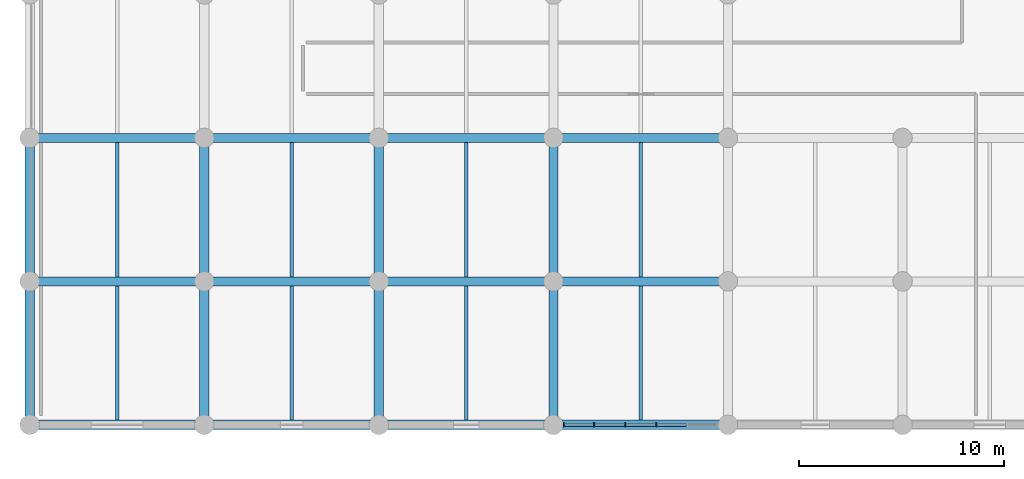
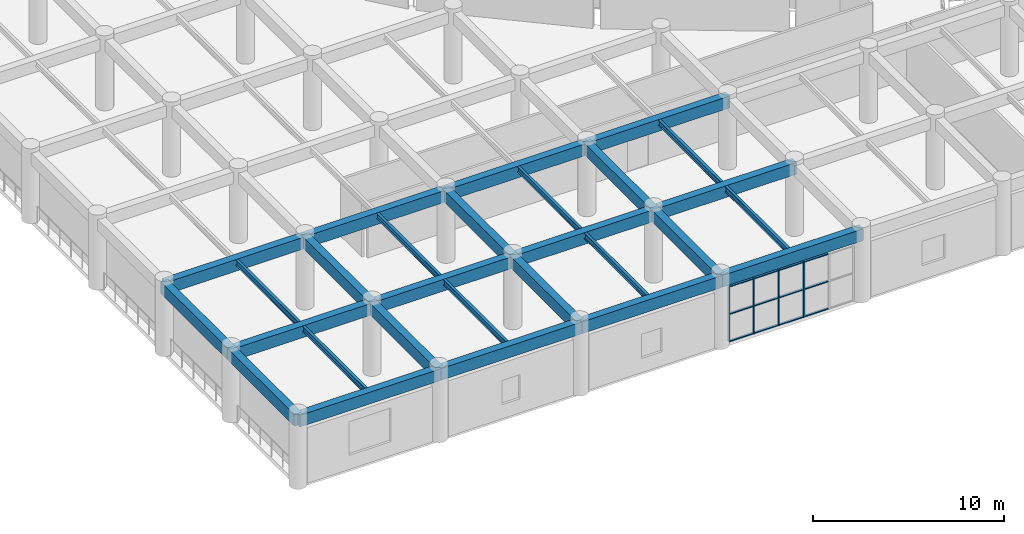
# One storey, part 11 of 152: 28 beams, 16 members, 1 element without a shape of its own.
"""IFC4 building model written with IfcOpenShell, lengths in metres."""

from ifc_helpers import new_model, si_unit, direction, frame, origin, origin_2d, place, context, subcontext, project, spatial, rectangle, i_section, extrude, material, layer, layer_set, material_profile, profile_set, type_object, element, aggregate, save


model = new_model("IFC4")

# Units and contexts
model_context = context("Model", 3, precision=1e-05, world=origin(), true_north=direction((0.0, 1.0)))
body_context = subcontext(model_context, "Body", "Model", "MODEL_VIEW")
ifc_project = project(units=[si_unit("LENGTHUNIT", "METRE"), si_unit("AREAUNIT", "SQUARE_METRE"), si_unit("VOLUMEUNIT", "CUBIC_METRE"), si_unit("PLANEANGLEUNIT", "RADIAN"), si_unit("MASSUNIT", "GRAM", prefix="KILO")], contexts=[model_context])

# Site, building, storey
site_placement = place(None, origin())
site = spatial("IfcSite", under=ifc_project, at=site_placement, CompositionType="ELEMENT")
building_placement = place(site_placement, origin())
building = spatial("IfcBuilding", under=site, at=building_placement, Name="Mphavela Belvedere Stadium", CompositionType="ELEMENT")
storey_placement = place(building_placement, frame((0.0, 0.0, 5.39990234375)))
storey = spatial("IfcBuildingStorey", under=building, at=storey_placement, Name="L01", CompositionType="ELEMENT", Elevation=5.39990234375)

# Beams
ifc_material_1 = material(Name="Steel S355", Category="steel")
ifc_material_profile_1 = material_profile(ifc_material_1, i_section(OverallWidth=0.169921875, OverallDepth=0.360107421875, WebThickness=0.008056640625, FlangeThickness=0.0126953125, at=origin_2d()), Name="IPE 360")
ifc_profile_set_1 = profile_set([ifc_material_profile_1], Name="Steel S355")
beam_type_1 = type_object("IfcBeamType", Name="BM-JOIST-IPE360", PredefinedType="JOIST", material=ifc_profile_set_1)
for number, where, z_axis, x_axis, name in (
    (1, (4.259521484375, 0.22509765625, 4.360107421875), (0.0, 1.0, 0.0), (-1.0, 0.0, 0.0), "South Axial Triumphal Peristyle Portico secondary joist L01 1-1"),
    (2, (4.259521484375, 7.22509765625, 4.360107421875), (0.0, 1.0, 0.0), (-1.0, 0.0, 0.0), "South Axial Triumphal Peristyle Portico secondary joist L01 1-2"),
    (3, (12.778076171875, 0.22509765625, 4.360107421875), (0.0, 1.0, 0.0), (-1.0, 0.0, 0.0), "South Axial Triumphal Peristyle Portico secondary joist L01 2-1"),
    (4, (12.778076171875, 7.22509765625, 4.360107421875), (0.0, 1.0, 0.0), (-1.0, 0.0, 0.0), "South Axial Triumphal Peristyle Portico secondary joist L01 2-2"),
    (5, (21.29638671875, 0.22509765625, 4.360107421875), (0.0, 1.0, 0.0), (-1.0, 0.0, 0.0), "South Axial Triumphal Peristyle Portico secondary joist L01 3-1"),
    (6, (21.29638671875, 7.22509765625, 4.360107421875), (0.0, 1.0, 0.0), (-1.0, 0.0, 0.0), "South Axial Triumphal Peristyle Portico secondary joist L01 3-2"),
    (7, (29.81494140625, 0.22509765625, 4.360107421875), (0.0, 1.0, 0.0), (-1.0, 0.0, 0.0), "South Axial Triumphal Peristyle Portico secondary joist L01 4-1"),
    (8, (29.81494140625, 7.22509765625, 4.360107421875), (0.0, 1.0, 0.0), (-1.0, 0.0, 0.0), "South Axial Triumphal Peristyle Portico secondary joist L01 4-2"),
):
    element("IfcBeam", number, at=place(storey_placement, frame(where, z_axis=z_axis, x_axis=x_axis)), inside=storey, type_object=beam_type_1, Name=name, PredefinedType="JOIST", context=body_context, shape_type="SweptSolid", body=[
        extrude(i_section(OverallWidth=0.169921875, OverallDepth=0.360107421875, WebThickness=0.008056640625, FlangeThickness=0.0126953125, at=origin_2d()), origin(), (0.0, 0.0, 1.0), 6.5498046875),
    ])
ifc_material_2 = material(Name="Concrete C40/50", Category="concrete")
ifc_material_profile_2 = material_profile(ifc_material_2, rectangle(XDim=0.449951171875, YDim=0.75, at=origin_2d()), Name="RC 450x750")
ifc_profile_set_2 = profile_set([ifc_material_profile_2], Name="Concrete C40/50")
beam_type_2 = type_object("IfcBeamType", Name="BM-RC450x750", PredefinedType="BEAM", material=ifc_profile_set_2)
beam_1_placement = place(storey_placement, frame((0.0, 0.0, 4.1650390625), z_axis=(1.0, 0.0, 0.0), x_axis=(0.0, 1.0, 0.0)))
element("IfcBeam", 9, at=beam_1_placement, inside=storey, type_object=beam_type_2, Name="South Axial Triumphal Peristyle Portico entablature beam X L01 1-1", PredefinedType="BEAM", context=body_context, shape_type="SweptSolid", body=[
    extrude(rectangle(XDim=0.449951171875, YDim=0.75, at=origin_2d()), origin(), (0.0, 0.0, 1.0), 8.51904296875),
])
beam_2_placement = place(storey_placement, frame((0.0, 0.0, 4.1650390625), z_axis=(0.0, 1.0, 0.0), x_axis=(-1.0, 0.0, 0.0)))
element("IfcBeam", 10, at=beam_2_placement, inside=storey, type_object=beam_type_2, Name="South Axial Triumphal Peristyle Portico entablature beam Y L01 1-1", PredefinedType="BEAM", context=body_context, shape_type="SweptSolid", body=[
    extrude(rectangle(XDim=0.449951171875, YDim=0.75, at=origin_2d()), origin(), (0.0, 0.0, 1.0), 7.0),
])
beam_3_placement = place(storey_placement, frame((0.0, 7.0, 4.1650390625), z_axis=(1.0, 0.0, 0.0), x_axis=(0.0, 1.0, 0.0)))
element("IfcBeam", 11, at=beam_3_placement, inside=storey, type_object=beam_type_2, Name="South Axial Triumphal Peristyle Portico entablature beam X L01 1-2", PredefinedType="BEAM", context=body_context, shape_type="SweptSolid", body=[
    extrude(rectangle(XDim=0.449951171875, YDim=0.75, at=origin_2d()), origin(), (0.0, 0.0, 1.0), 8.51904296875),
])
beam_4_placement = place(storey_placement, frame((0.0, 7.0, 4.1650390625), z_axis=(0.0, 1.0, 0.0), x_axis=(-1.0, 0.0, 0.0)))
element("IfcBeam", 12, at=beam_4_placement, inside=storey, type_object=beam_type_2, Name="South Axial Triumphal Peristyle Portico entablature beam Y L01 1-2", PredefinedType="BEAM", context=body_context, shape_type="SweptSolid", body=[
    extrude(rectangle(XDim=0.449951171875, YDim=0.75, at=origin_2d()), origin(), (0.0, 0.0, 1.0), 7.0),
])
beam_5_placement = place(storey_placement, frame((0.0, 14.0, 4.1650390625), z_axis=(1.0, 0.0, 0.0), x_axis=(0.0, 1.0, 0.0)))
element("IfcBeam", 13, at=beam_5_placement, inside=storey, type_object=beam_type_2, Name="South Axial Triumphal Peristyle Portico entablature beam X L01 1-3", PredefinedType="BEAM", context=body_context, shape_type="SweptSolid", body=[
    extrude(rectangle(XDim=0.449951171875, YDim=0.75, at=origin_2d()), origin(), (0.0, 0.0, 1.0), 8.51904296875),
])
beam_6_placement = place(storey_placement, frame((8.51904296875, 0.0, 4.1650390625), z_axis=(1.0, 0.0, 0.0), x_axis=(0.0, 1.0, 0.0)))
element("IfcBeam", 14, at=beam_6_placement, inside=storey, type_object=beam_type_2, Name="South Axial Triumphal Peristyle Portico entablature beam X L01 2-1", PredefinedType="BEAM", context=body_context, shape_type="SweptSolid", body=[
    extrude(rectangle(XDim=0.449951171875, YDim=0.75, at=origin_2d()), origin(), (0.0, 0.0, 1.0), 8.51806640625),
])
beam_7_placement = place(storey_placement, frame((8.51904296875, 0.0, 4.1650390625), z_axis=(0.0, 1.0, 0.0), x_axis=(-1.0, 0.0, 0.0)))
element("IfcBeam", 15, at=beam_7_placement, inside=storey, type_object=beam_type_2, Name="South Axial Triumphal Peristyle Portico entablature beam Y L01 2-1", PredefinedType="BEAM", context=body_context, shape_type="SweptSolid", body=[
    extrude(rectangle(XDim=0.449951171875, YDim=0.75, at=origin_2d()), origin(), (0.0, 0.0, 1.0), 7.0),
])
beam_8_placement = place(storey_placement, frame((8.51904296875, 7.0, 4.1650390625), z_axis=(1.0, 0.0, 0.0), x_axis=(0.0, 1.0, 0.0)))
element("IfcBeam", 16, at=beam_8_placement, inside=storey, type_object=beam_type_2, Name="South Axial Triumphal Peristyle Portico entablature beam X L01 2-2", PredefinedType="BEAM", context=body_context, shape_type="SweptSolid", body=[
    extrude(rectangle(XDim=0.449951171875, YDim=0.75, at=origin_2d()), origin(), (0.0, 0.0, 1.0), 8.51806640625),
])
beam_9_placement = place(storey_placement, frame((8.51904296875, 7.0, 4.1650390625), z_axis=(0.0, 1.0, 0.0), x_axis=(-1.0, 0.0, 0.0)))
element("IfcBeam", 17, at=beam_9_placement, inside=storey, type_object=beam_type_2, Name="South Axial Triumphal Peristyle Portico entablature beam Y L01 2-2", PredefinedType="BEAM", context=body_context, shape_type="SweptSolid", body=[
    extrude(rectangle(XDim=0.449951171875, YDim=0.75, at=origin_2d()), origin(), (0.0, 0.0, 1.0), 7.0),
])
beam_10_placement = place(storey_placement, frame((8.51904296875, 14.0, 4.1650390625), z_axis=(1.0, 0.0, 0.0), x_axis=(0.0, 1.0, 0.0)))
element("IfcBeam", 18, at=beam_10_placement, inside=storey, type_object=beam_type_2, Name="South Axial Triumphal Peristyle Portico entablature beam X L01 2-3", PredefinedType="BEAM", context=body_context, shape_type="SweptSolid", body=[
    extrude(rectangle(XDim=0.449951171875, YDim=0.75, at=origin_2d()), origin(), (0.0, 0.0, 1.0), 8.51806640625),
])
beam_11_placement = place(storey_placement, frame((17.037109375, 0.0, 4.1650390625), z_axis=(1.0, 0.0, 0.0), x_axis=(0.0, 1.0, 0.0)))
element("IfcBeam", 19, at=beam_11_placement, inside=storey, type_object=beam_type_2, Name="South Axial Triumphal Peristyle Portico entablature beam X L01 3-1", PredefinedType="BEAM", context=body_context, shape_type="SweptSolid", body=[
    extrude(rectangle(XDim=0.449951171875, YDim=0.75, at=origin_2d()), origin(), (0.0, 0.0, 1.0), 8.518798828125),
])
beam_12_placement = place(storey_placement, frame((17.037109375, 0.0, 4.1650390625), z_axis=(0.0, 1.0, 0.0), x_axis=(-1.0, 0.0, 0.0)))
element("IfcBeam", 20, at=beam_12_placement, inside=storey, type_object=beam_type_2, Name="South Axial Triumphal Peristyle Portico entablature beam Y L01 3-1", PredefinedType="BEAM", context=body_context, shape_type="SweptSolid", body=[
    extrude(rectangle(XDim=0.449951171875, YDim=0.75, at=origin_2d()), origin(), (0.0, 0.0, 1.0), 7.0),
])
beam_13_placement = place(storey_placement, frame((17.037109375, 7.0, 4.1650390625), z_axis=(1.0, 0.0, 0.0), x_axis=(0.0, 1.0, 0.0)))
element("IfcBeam", 21, at=beam_13_placement, inside=storey, type_object=beam_type_2, Name="South Axial Triumphal Peristyle Portico entablature beam X L01 3-2", PredefinedType="BEAM", context=body_context, shape_type="SweptSolid", body=[
    extrude(rectangle(XDim=0.449951171875, YDim=0.75, at=origin_2d()), origin(), (0.0, 0.0, 1.0), 8.518798828125),
])
beam_14_placement = place(storey_placement, frame((17.037109375, 7.0, 4.1650390625), z_axis=(0.0, 1.0, 0.0), x_axis=(-1.0, 0.0, 0.0)))
element("IfcBeam", 22, at=beam_14_placement, inside=storey, type_object=beam_type_2, Name="South Axial Triumphal Peristyle Portico entablature beam Y L01 3-2", PredefinedType="BEAM", context=body_context, shape_type="SweptSolid", body=[
    extrude(rectangle(XDim=0.449951171875, YDim=0.75, at=origin_2d()), origin(), (0.0, 0.0, 1.0), 7.0),
])
beam_15_placement = place(storey_placement, frame((17.037109375, 14.0, 4.1650390625), z_axis=(1.0, 0.0, 0.0), x_axis=(0.0, 1.0, 0.0)))
element("IfcBeam", 23, at=beam_15_placement, inside=storey, type_object=beam_type_2, Name="South Axial Triumphal Peristyle Portico entablature beam X L01 3-3", PredefinedType="BEAM", context=body_context, shape_type="SweptSolid", body=[
    extrude(rectangle(XDim=0.449951171875, YDim=0.75, at=origin_2d()), origin(), (0.0, 0.0, 1.0), 8.518798828125),
])
beam_16_placement = place(storey_placement, frame((25.555908203125, 0.0, 4.1650390625), z_axis=(1.0, 0.0, 0.0), x_axis=(0.0, 1.0, 0.0)))
element("IfcBeam", 24, at=beam_16_placement, inside=storey, type_object=beam_type_2, Name="South Axial Triumphal Peristyle Portico entablature beam X L01 4-1", PredefinedType="BEAM", context=body_context, shape_type="SweptSolid", body=[
    extrude(rectangle(XDim=0.449951171875, YDim=0.75, at=origin_2d()), origin(), (0.0, 0.0, 1.0), 8.51806640625),
])
beam_17_placement = place(storey_placement, frame((25.555908203125, 0.0, 4.1650390625), z_axis=(0.0, 1.0, 0.0), x_axis=(-1.0, 0.0, 0.0)))
element("IfcBeam", 25, at=beam_17_placement, inside=storey, type_object=beam_type_2, Name="South Axial Triumphal Peristyle Portico entablature beam Y L01 4-1", PredefinedType="BEAM", context=body_context, shape_type="SweptSolid", body=[
    extrude(rectangle(XDim=0.449951171875, YDim=0.75, at=origin_2d()), origin(), (0.0, 0.0, 1.0), 7.0),
])
beam_18_placement = place(storey_placement, frame((25.555908203125, 7.0, 4.1650390625), z_axis=(1.0, 0.0, 0.0), x_axis=(0.0, 1.0, 0.0)))
element("IfcBeam", 26, at=beam_18_placement, inside=storey, type_object=beam_type_2, Name="South Axial Triumphal Peristyle Portico entablature beam X L01 4-2", PredefinedType="BEAM", context=body_context, shape_type="SweptSolid", body=[
    extrude(rectangle(XDim=0.449951171875, YDim=0.75, at=origin_2d()), origin(), (0.0, 0.0, 1.0), 8.51806640625),
])
beam_19_placement = place(storey_placement, frame((25.555908203125, 7.0, 4.1650390625), z_axis=(0.0, 1.0, 0.0), x_axis=(-1.0, 0.0, 0.0)))
element("IfcBeam", 27, at=beam_19_placement, inside=storey, type_object=beam_type_2, Name="South Axial Triumphal Peristyle Portico entablature beam Y L01 4-2", PredefinedType="BEAM", context=body_context, shape_type="SweptSolid", body=[
    extrude(rectangle(XDim=0.449951171875, YDim=0.75, at=origin_2d()), origin(), (0.0, 0.0, 1.0), 7.0),
])
beam_20_placement = place(storey_placement, frame((25.555908203125, 14.0, 4.1650390625), z_axis=(1.0, 0.0, 0.0), x_axis=(0.0, 1.0, 0.0)))
element("IfcBeam", 28, at=beam_20_placement, inside=storey, type_object=beam_type_2, Name="South Axial Triumphal Peristyle Portico entablature beam X L01 4-3", PredefinedType="BEAM", context=body_context, shape_type="SweptSolid", body=[
    extrude(rectangle(XDim=0.449951171875, YDim=0.75, at=origin_2d()), origin(), (0.0, 0.0, 1.0), 8.51806640625),
])

# Curtain wall, members
ifc_material_3 = material(Name="Anodised bronze unitised curtain wall framing")
ifc_layer = layer(ifc_material_3, 0.18994140625)
ifc_layer_set = layer_set([ifc_layer], Name="Anodised bronze unitised curtain wall framing")
curtain_wall_type = type_object("IfcCurtainWallType", Name="CW-UNIT-03", PredefinedType="USERDEFINED", material=ifc_layer_set)
curtain_wall_placement = place(storey_placement, origin())
curtain_wall = element("IfcCurtainWall", 29, at=curtain_wall_placement, inside=storey, type_object=curtain_wall_type, Name="South Axial Triumphal Peristyle Portico gallery curtain wall L01-04", ObjectType="UNITISED CURTAIN WALL", PredefinedType="USERDEFINED")
ifc_material_4 = material(Name="Anodised bronze extruded aluminium", Category="aluminium")
ifc_material_profile_3 = material_profile(ifc_material_4, rectangle(XDim=0.179931640625, YDim=0.06494140625, at=origin_2d()), Name="CW-MUL 180x65")
ifc_profile_set_3 = profile_set([ifc_material_profile_3], Name="Anodised bronze extruded aluminium")
member_type_1 = type_object("IfcMemberType", Name="CWM-180x65", PredefinedType="MULLION", material=ifc_profile_set_3)
member_1_placement = place(storey_placement, frame((30.572265625, 0.0, 0.0), z_axis=(0.0, 0.0, 1.0), x_axis=(0.0, -1.0, 0.0)))
member_1 = element("IfcMember", 30, at=member_1_placement, type_object=member_type_1, Name="CW-03 mullion 3", PredefinedType="MULLION", context=body_context, shape_type="SweptSolid", body=[
    extrude(rectangle(XDim=0.179931640625, YDim=0.06494140625, at=origin_2d()), origin(), (0.0, 0.0, 1.0), 3.56005859375),
])
member_2_placement = place(storey_placement, frame((29.057861328125, 0.0, 0.0), z_axis=(0.0, 0.0, 1.0), x_axis=(0.0, -1.0, 0.0)))
member_2 = element("IfcMember", 31, at=member_2_placement, type_object=member_type_1, Name="CW-03 mullion 4", PredefinedType="MULLION", context=body_context, shape_type="SweptSolid", body=[
    extrude(rectangle(XDim=0.179931640625, YDim=0.06494140625, at=origin_2d()), origin(), (0.0, 0.0, 1.0), 3.56005859375),
])
member_3_placement = place(storey_placement, frame((27.54345703125, 0.0, 0.0), z_axis=(0.0, 0.0, 1.0), x_axis=(0.0, -1.0, 0.0)))
member_3 = element("IfcMember", 32, at=member_3_placement, type_object=member_type_1, Name="CW-03 mullion 5", PredefinedType="MULLION", context=body_context, shape_type="SweptSolid", body=[
    extrude(rectangle(XDim=0.179931640625, YDim=0.06494140625, at=origin_2d()), origin(), (0.0, 0.0, 1.0), 3.56005859375),
])
member_4_placement = place(storey_placement, frame((26.0615234375, 0.0, 0.0), z_axis=(0.0, 0.0, 1.0), x_axis=(0.0, -1.0, 0.0)))
member_4 = element("IfcMember", 33, at=member_4_placement, type_object=member_type_1, Name="CW-03 mullion 6", PredefinedType="MULLION", context=body_context, shape_type="SweptSolid", body=[
    extrude(rectangle(XDim=0.179931640625, YDim=0.06494140625, at=origin_2d()), origin(), (0.0, 0.0, 1.0), 3.56005859375),
])
ifc_material_5 = material(Name="Anodised bronze extruded aluminium", Category="aluminium")
ifc_material_profile_4 = material_profile(ifc_material_5, rectangle(XDim=0.139892578125, YDim=0.06005859375, at=origin_2d()), Name="CW-TRN 140x60")
ifc_profile_set_4 = profile_set([ifc_material_profile_4], Name="Anodised bronze extruded aluminium")
member_type_2 = type_object("IfcMemberType", Name="CWT-140x60", PredefinedType="USERDEFINED", material=ifc_profile_set_4)
member_5_placement = place(storey_placement, frame((32.05419921875, 0.0, 0.030029296875), z_axis=(-1.0, 0.0, 0.0), x_axis=(0.0, -1.0, 0.0)))
member_5 = element("IfcMember", 34, at=member_5_placement, type_object=member_type_2, Name="CW-03 transom 2.1", ObjectType="TRANSOM", PredefinedType="USERDEFINED", context=body_context, shape_type="SweptSolid", body=[
    extrude(rectangle(XDim=0.139892578125, YDim=0.06005859375, at=origin_2d()), origin(), (0.0, 0.0, 1.0), 1.449462890625),
])
member_6_placement = place(storey_placement, frame((32.05419921875, 0.0, 1.780029296875), z_axis=(-1.0, 0.0, 0.0), x_axis=(0.0, -1.0, 0.0)))
member_6 = element("IfcMember", 35, at=member_6_placement, type_object=member_type_2, Name="CW-03 transom 2.2", ObjectType="TRANSOM", PredefinedType="USERDEFINED", context=body_context, shape_type="SweptSolid", body=[
    extrude(rectangle(XDim=0.139892578125, YDim=0.06005859375, at=origin_2d()), origin(), (0.0, 0.0, 1.0), 1.449462890625),
])
member_7_placement = place(storey_placement, frame((32.05419921875, 0.0, 3.530029296875), z_axis=(-1.0, 0.0, 0.0), x_axis=(0.0, -1.0, 0.0)))
member_7 = element("IfcMember", 36, at=member_7_placement, type_object=member_type_2, Name="CW-03 transom 2.3", ObjectType="TRANSOM", PredefinedType="USERDEFINED", context=body_context, shape_type="SweptSolid", body=[
    extrude(rectangle(XDim=0.139892578125, YDim=0.06005859375, at=origin_2d()), origin(), (0.0, 0.0, 1.0), 1.449462890625),
])
member_8_placement = place(storey_placement, frame((30.539794921875, 0.0, 0.030029296875), z_axis=(-1.0, 0.0, 0.0), x_axis=(0.0, -1.0, 0.0)))
member_8 = element("IfcMember", 37, at=member_8_placement, type_object=member_type_2, Name="CW-03 transom 3.1", ObjectType="TRANSOM", PredefinedType="USERDEFINED", context=body_context, shape_type="SweptSolid", body=[
    extrude(rectangle(XDim=0.139892578125, YDim=0.06005859375, at=origin_2d()), origin(), (0.0, 0.0, 1.0), 1.449462890625),
])
member_9_placement = place(storey_placement, frame((30.539794921875, 0.0, 1.780029296875), z_axis=(-1.0, 0.0, 0.0), x_axis=(0.0, -1.0, 0.0)))
member_9 = element("IfcMember", 38, at=member_9_placement, type_object=member_type_2, Name="CW-03 transom 3.2", ObjectType="TRANSOM", PredefinedType="USERDEFINED", context=body_context, shape_type="SweptSolid", body=[
    extrude(rectangle(XDim=0.139892578125, YDim=0.06005859375, at=origin_2d()), origin(), (0.0, 0.0, 1.0), 1.449462890625),
])
member_10_placement = place(storey_placement, frame((30.539794921875, 0.0, 3.530029296875), z_axis=(-1.0, 0.0, 0.0), x_axis=(0.0, -1.0, 0.0)))
member_10 = element("IfcMember", 39, at=member_10_placement, type_object=member_type_2, Name="CW-03 transom 3.3", ObjectType="TRANSOM", PredefinedType="USERDEFINED", context=body_context, shape_type="SweptSolid", body=[
    extrude(rectangle(XDim=0.139892578125, YDim=0.06005859375, at=origin_2d()), origin(), (0.0, 0.0, 1.0), 1.449462890625),
])
member_11_placement = place(storey_placement, frame((29.025390625, 0.0, 0.030029296875), z_axis=(-1.0, 0.0, 0.0), x_axis=(0.0, -1.0, 0.0)))
member_11 = element("IfcMember", 40, at=member_11_placement, type_object=member_type_2, Name="CW-03 transom 4.1", ObjectType="TRANSOM", PredefinedType="USERDEFINED", context=body_context, shape_type="SweptSolid", body=[
    extrude(rectangle(XDim=0.139892578125, YDim=0.06005859375, at=origin_2d()), origin(), (0.0, 0.0, 1.0), 1.449462890625),
])
member_12_placement = place(storey_placement, frame((29.025390625, 0.0, 1.780029296875), z_axis=(-1.0, 0.0, 0.0), x_axis=(0.0, -1.0, 0.0)))
member_12 = element("IfcMember", 41, at=member_12_placement, type_object=member_type_2, Name="CW-03 transom 4.2", ObjectType="TRANSOM", PredefinedType="USERDEFINED", context=body_context, shape_type="SweptSolid", body=[
    extrude(rectangle(XDim=0.139892578125, YDim=0.06005859375, at=origin_2d()), origin(), (0.0, 0.0, 1.0), 1.449462890625),
])
member_13_placement = place(storey_placement, frame((29.025390625, 0.0, 3.530029296875), z_axis=(-1.0, 0.0, 0.0), x_axis=(0.0, -1.0, 0.0)))
member_13 = element("IfcMember", 42, at=member_13_placement, type_object=member_type_2, Name="CW-03 transom 4.3", ObjectType="TRANSOM", PredefinedType="USERDEFINED", context=body_context, shape_type="SweptSolid", body=[
    extrude(rectangle(XDim=0.139892578125, YDim=0.06005859375, at=origin_2d()), origin(), (0.0, 0.0, 1.0), 1.449462890625),
])
member_14_placement = place(storey_placement, frame((27.510986328125, 0.0, 0.030029296875), z_axis=(-1.0, 0.0, 0.0), x_axis=(0.0, -1.0, 0.0)))
member_14 = element("IfcMember", 43, at=member_14_placement, type_object=member_type_2, Name="CW-03 transom 5.1", ObjectType="TRANSOM", PredefinedType="USERDEFINED", context=body_context, shape_type="SweptSolid", body=[
    extrude(rectangle(XDim=0.139892578125, YDim=0.06005859375, at=origin_2d()), origin(), (0.0, 0.0, 1.0), 1.4169921875),
])
member_15_placement = place(storey_placement, frame((27.510986328125, 0.0, 1.780029296875), z_axis=(-1.0, 0.0, 0.0), x_axis=(0.0, -1.0, 0.0)))
member_15 = element("IfcMember", 44, at=member_15_placement, type_object=member_type_2, Name="CW-03 transom 5.2", ObjectType="TRANSOM", PredefinedType="USERDEFINED", context=body_context, shape_type="SweptSolid", body=[
    extrude(rectangle(XDim=0.139892578125, YDim=0.06005859375, at=origin_2d()), origin(), (0.0, 0.0, 1.0), 1.4169921875),
])
member_16_placement = place(storey_placement, frame((27.510986328125, 0.0, 3.530029296875), z_axis=(-1.0, 0.0, 0.0), x_axis=(0.0, -1.0, 0.0)))
member_16 = element("IfcMember", 45, at=member_16_placement, type_object=member_type_2, Name="CW-03 transom 5.3", ObjectType="TRANSOM", PredefinedType="USERDEFINED", context=body_context, shape_type="SweptSolid", body=[
    extrude(rectangle(XDim=0.139892578125, YDim=0.06005859375, at=origin_2d()), origin(), (0.0, 0.0, 1.0), 1.4169921875),
])
aggregate(curtain_wall, [member_1, member_2, member_3, member_4, member_5, member_6, member_7, member_8, member_9, member_10, member_11, member_12, member_13, member_14, member_15, member_16])

save(model, "model.ifc")
